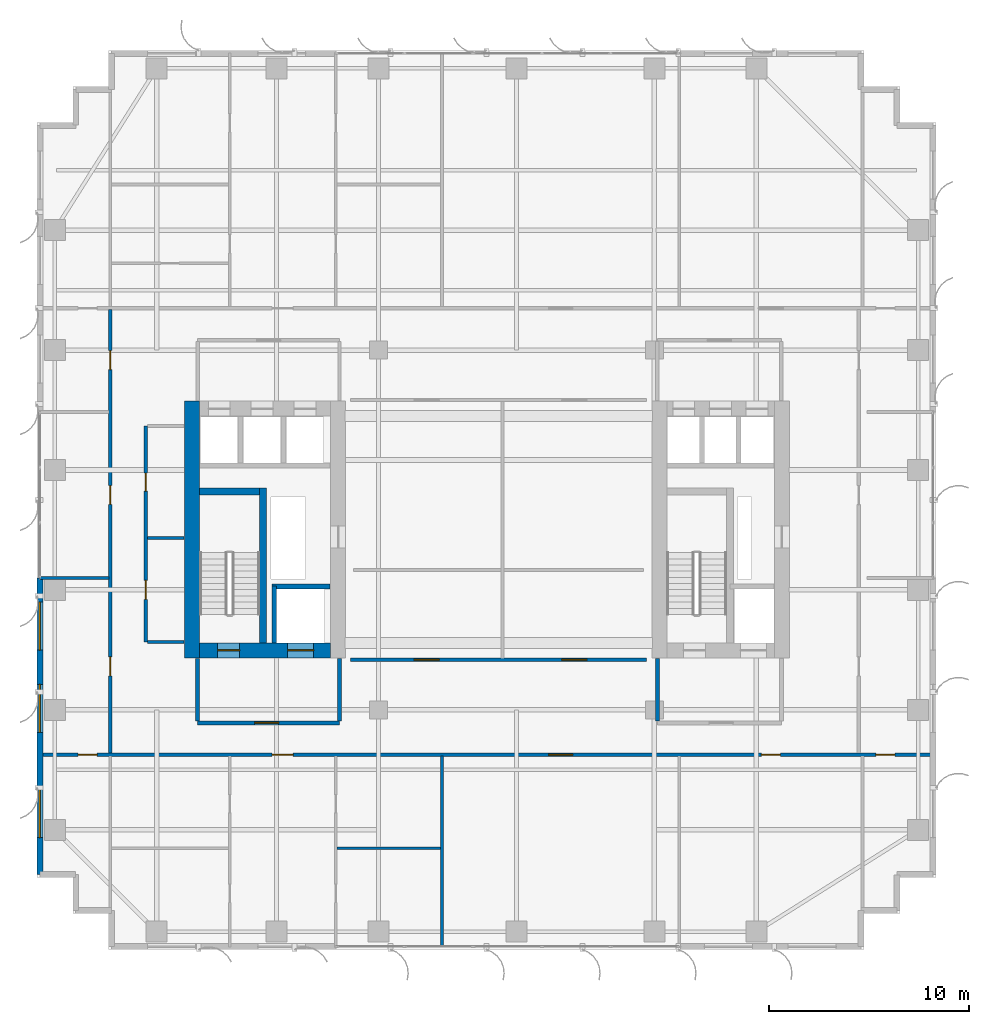
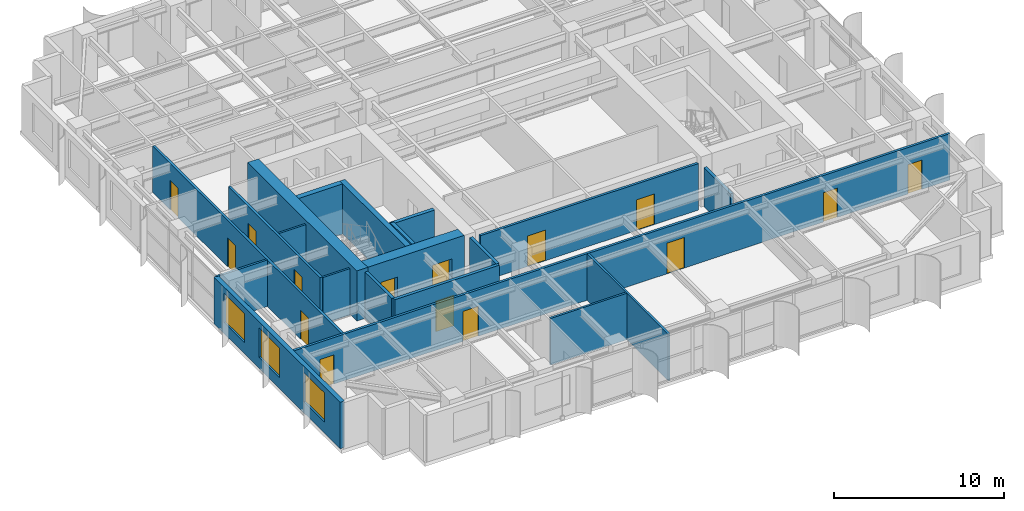
# One storey, part 20 of 26: 20 walls, 15 doors, 3 windows, 18 openings.
"""IFC4 building model written with IfcOpenShell, lengths in metres."""

from ifc_helpers import new_model, si_unit, direction, frame, frame_2d, origin, place, context, subcontext, project, spatial, rectangle, extrude, source, transform, mapped, material, layer, layer_set, type_object, element, fill, save


model = new_model("IFC4")

# Units and contexts
model_context = context("Model", 3, precision=1e-05, world=origin(), true_north=direction((0.0, 1.0)))
body_context = subcontext(model_context, "Body", "Model", "MODEL_VIEW")
ifc_project = project(units=[si_unit("LENGTHUNIT", "METRE"), si_unit("AREAUNIT", "SQUARE_METRE"), si_unit("VOLUMEUNIT", "CUBIC_METRE"), si_unit("PLANEANGLEUNIT", "RADIAN"), si_unit("MASSUNIT", "GRAM", prefix="KILO")], contexts=[model_context])

# Site, building, storey
site_placement = place(None, origin())
site = spatial("IfcSite", under=ifc_project, at=site_placement, CompositionType="ELEMENT")
building_placement = place(site_placement, origin())
building = spatial("IfcBuilding", under=site, at=building_placement, Name="Khoralis Quay Care Tower", CompositionType="ELEMENT")
storey_placement = place(building_placement, frame((0.0, 0.0, 126.89990234375)))
storey = spatial("IfcBuildingStorey", under=building, at=storey_placement, Name="L33", CompositionType="ELEMENT", Elevation=126.89990234375)

# Wall, opening, door
ifc_material_1 = material(Name="Gypsum plasterboard on acoustic metal stud")
ifc_layer_1 = layer(ifc_material_1, 0.199951171875)
ifc_layer_set_1 = layer_set([ifc_layer_1], Name="Gypsum plasterboard on acoustic metal stud")
wall_type_1 = type_object("IfcWallType", Name="WL-COMP-200", PredefinedType="PARTITIONING", material=ifc_layer_set_1)
wall_1_placement = place(storey_placement, frame((8.050048828125, 11.35009765625, 0.0), z_axis=(0.0, 0.0, 1.0), x_axis=(1.0, 0.0, 0.0)))
wall_1 = element("IfcWall", 1, at=wall_1_placement, inside=storey, type_object=wall_type_1, Name="L33 West Firefighting Lobby South Wall", PredefinedType="PARTITIONING", context=body_context, shape_type="SweptSolid", body=[
    extrude(rectangle(XDim=7.099853515625, YDim=0.199951171875, at=frame_2d((3.5498046875, 0.0))), origin(), (0.0, 0.0, 1.0), 3.340087890625),
])
opening_1_placement = place(wall_1_placement, frame((2.846435546875, 0.0, 0.0)))
opening_1 = element("IfcOpeningElement", 2, at=opening_1_placement, cuts=wall_1, Name="Opening FD1", PredefinedType="OPENING", context=body_context, shape_type="SweptSolid", body=[
    extrude(rectangle(XDim=1.199951171875, YDim=2.199951171875, at=frame_2d((0.60009765625, 1.10009765625))), frame((0.0, 0.10986328125, 0.0), z_axis=(0.0, -1.0, 0.0), x_axis=(1.0, 0.0, 0.0)), (0.0, 0.0, 1.0), 0.219970703125),
])
ifc_material_2 = material(Name="Fire-rated painted steel", Category="steel")
door_type_1 = type_object("IfcDoorType", Name="DR-FFL-1200X2200", OperationType="NOTDEFINED", PredefinedType="DOOR", material=ifc_material_2)
shared_shape_1 = source(origin(), body_context, "Body", "SweptSolid", [
    extrude(rectangle(XDim=1.199951171875, YDim=2.199951171875, at=frame_2d((0.60009765625, 1.10009765625))), frame((0.0, 0.02490234375, 0.0), z_axis=(0.0, -1.0, 0.0), x_axis=(1.0, 0.0, 0.0)), (0.0, 0.0, 1.0), 0.050048828125),
])
door_1_placement = place(opening_1_placement, origin())
door_1 = element("IfcDoor", 3, at=door_1_placement, inside=storey, type_object=door_type_1, Name="L33 West Firefighting Lobby Fire Door", OperationType="SINGLE_SWING_LEFT", OverallHeight=2.199951171875, OverallWidth=1.199951171875, PredefinedType="DOOR", context=body_context, shape_type="MappedRepresentation", body=[
    mapped(shared_shape_1, transform((0.0, 0.0, 0.0), scale=1.0)),
])
fill(opening_1, door_1)

# Walls
for number, where, z_axis, x_axis, name in (
    (4, (8.050048828125, 11.445068359375, 0.0), (0.0, 0.0, 1.0), (0.0, 1.0, 0.0), "L33 West Firefighting Lobby West Wall"),
    (5, (15.14990234375, 11.445068359375, 0.0), (0.0, 0.0, 1.0), (0.0, 1.0, 0.0), "L33 West Firefighting Lobby East Wall"),
):
    element("IfcWall", number, at=place(storey_placement, frame(where, z_axis=z_axis, x_axis=x_axis)), inside=storey, type_object=wall_type_1, Name=name, PredefinedType="PARTITIONING", context=body_context, shape_type="SweptSolid", body=[
        extrude(rectangle(XDim=3.135009765625, YDim=0.199951171875, at=frame_2d((1.5673828125, 0.0))), origin(), (0.0, 0.0, 1.0), 3.340087890625),
    ])
wall_2_placement = place(storey_placement, frame((31.050048828125, 11.445068359375, 0.0), z_axis=(0.0, 0.0, 1.0), x_axis=(0.0, 1.0, 0.0)))
element("IfcWall", 6, at=wall_2_placement, inside=storey, type_object=wall_type_1, Name="L33 East Firefighting Lobby West Wall", PredefinedType="PARTITIONING", context=body_context, shape_type="SweptSolid", body=[
    extrude(rectangle(XDim=3.135009765625, YDim=0.199951171875, at=frame_2d((1.5673828125, 0.0))), origin(), (0.0, 0.0, 1.0), 2.796142578125),
])
ifc_material_3 = material(Name="Concrete C80/95", Category="concrete")
ifc_layer_2 = layer(ifc_material_3, 0.75)
ifc_layer_set_2 = layer_set([ifc_layer_2], Name="Concrete C80/95")
wall_type_2 = type_object("IfcWallType", Name="WL-CORE-750", PredefinedType="SHEAR", material=ifc_layer_set_2)
wall_3_placement = place(storey_placement, frame((7.77490234375, 14.60009765625, 0.0), z_axis=(0.0, 0.0, 1.0), x_axis=(0.0, 1.0, 0.0)))
element("IfcWall", 7, at=wall_3_placement, inside=storey, type_object=wall_type_2, Name="L33 WCORE West Shear Wall", PredefinedType="SHEAR", context=body_context, shape_type="SweptSolid", body=[
    extrude(rectangle(XDim=12.849853515625, YDim=0.75, at=frame_2d((6.4248046875, 0.0))), origin(), (0.0, 0.0, 1.0), 3.60009765625),
])

# Wall, openings, doors
wall_4_placement = place(storey_placement, frame((8.14990234375, 14.97509765625, 0.0), z_axis=(0.0, 0.0, 1.0), x_axis=(1.0, 0.0, 0.0)))
wall_4 = element("IfcWall", 8, at=wall_4_placement, inside=storey, type_object=wall_type_2, Name="L33 WCORE South Shear Wall", PredefinedType="SHEAR", context=body_context, shape_type="SweptSolid", body=[
    extrude(rectangle(XDim=6.550048828125, YDim=0.75, at=frame_2d((3.27490234375, 0.0))), origin(), (0.0, 0.0, 1.0), 3.60009765625),
])
opening_2_placement = place(wall_4_placement, frame((0.89990234375, 0.0, 0.0)))
opening_2 = element("IfcOpeningElement", 9, at=opening_2_placement, cuts=wall_4, Name="Opening SD1", PredefinedType="OPENING", context=body_context, shape_type="SweptSolid", body=[
    extrude(rectangle(XDim=1.10009765625, YDim=2.199951171875, at=frame_2d((0.550048828125, 1.10009765625))), frame((0.0, 0.385009765625, 0.0), z_axis=(0.0, -1.0, 0.0), x_axis=(1.0, 0.0, 0.0)), (0.0, 0.0, 1.0), 0.77001953125),
])
opening_3_placement = place(wall_4_placement, frame((4.39990234375, 0.0, 0.0)))
opening_3 = element("IfcOpeningElement", 10, at=opening_3_placement, cuts=wall_4, Name="Opening LD2", PredefinedType="OPENING", context=body_context, shape_type="SweptSolid", body=[
    extrude(rectangle(XDim=1.300048828125, YDim=2.199951171875, at=frame_2d((0.64990234375, 1.10009765625))), frame((0.0, 0.385009765625, 0.0), z_axis=(0.0, -1.0, 0.0), x_axis=(1.0, 0.0, 0.0)), (0.0, 0.0, 1.0), 0.77001953125),
])
door_type_2 = type_object("IfcDoorType", Name="DR-STAIR-1100X2200", OperationType="NOTDEFINED", PredefinedType="DOOR", material=ifc_material_2)
shared_shape_2 = source(origin(), body_context, "Body", "SweptSolid", [
    extrude(rectangle(XDim=1.10009765625, YDim=2.199951171875, at=frame_2d((0.550048828125, 1.10009765625))), frame((0.0, 0.02490234375, 0.0), z_axis=(0.0, -1.0, 0.0), x_axis=(1.0, 0.0, 0.0)), (0.0, 0.0, 1.0), 0.050048828125),
])
door_2_placement = place(opening_2_placement, origin())
door_2 = element("IfcDoor", 11, at=door_2_placement, inside=storey, type_object=door_type_2, Name="L33 Stair ST-T1 Fire Door", OperationType="SINGLE_SWING_LEFT", OverallHeight=2.199951171875, OverallWidth=1.10009765625, PredefinedType="DOOR", context=body_context, shape_type="MappedRepresentation", body=[
    mapped(shared_shape_2, transform((0.0, 0.0, 0.0), scale=1.0)),
])
fill(opening_2, door_2)
ifc_material_4 = material(Name="Brushed stainless steel", Category="steel")
door_type_3 = type_object("IfcDoorType", Name="DR-LIFT-1300X2200", OperationType="SLIDING_TO_RIGHT", PredefinedType="DOOR", material=ifc_material_4)
shared_shape_3 = source(origin(), body_context, "Body", "SweptSolid", [
    extrude(rectangle(XDim=1.300048828125, YDim=2.199951171875, at=frame_2d((0.64990234375, 1.10009765625))), frame((0.0, 0.02490234375, 0.0), z_axis=(0.0, -1.0, 0.0), x_axis=(1.0, 0.0, 0.0)), (0.0, 0.0, 1.0), 0.050048828125),
])
door_3_placement = place(opening_3_placement, origin())
door_3 = element("IfcDoor", 12, at=door_3_placement, inside=storey, type_object=door_type_3, Name="L33 Firefighting Lift FFL-1 Landing Door", OperationType="SLIDING_TO_RIGHT", OverallHeight=2.199951171875, OverallWidth=1.300048828125, PredefinedType="DOOR", context=body_context, shape_type="MappedRepresentation", body=[
    mapped(shared_shape_3, transform((0.0, 0.0, 0.0), scale=1.0)),
])
fill(opening_3, door_3)

ifc_layer_3 = layer(ifc_material_1, 0.1650390625)
ifc_layer_set_3 = layer_set([ifc_layer_3], Name="Gypsum plasterboard on acoustic metal stud")
wall_type_3 = type_object("IfcWallType", Name="WL-CORR-165", PredefinedType="PARTITIONING", material=ifc_layer_set_3)
wall_5_placement = place(storey_placement, frame((5.449951171875, 15.39990234375, 0.0), z_axis=(0.0, 0.0, 1.0), x_axis=(0.0, 1.0, 0.0)))
wall_5 = element("IfcWall", 13, at=wall_5_placement, inside=storey, type_object=wall_type_3, Name="L33 West Core Service Flank Wall", PredefinedType="PARTITIONING", context=body_context, shape_type="SweptSolid", body=[
    extrude(rectangle(XDim=10.800048828125, YDim=0.1650390625, at=frame_2d((5.39990234375, 0.0))), origin(), (0.0, 0.0, 1.0), 3.340087890625),
])
opening_4_placement = place(wall_5_placement, frame((2.125, 0.0, 0.0)))
opening_4 = element("IfcOpeningElement", 14, at=opening_4_placement, cuts=wall_5, Name="Opening ID1", PredefinedType="OPENING", context=body_context, shape_type="SweptSolid", body=[
    extrude(rectangle(XDim=0.949951171875, YDim=2.10009765625, at=frame_2d((0.47509765625, 1.050048828125))), frame((0.0, 0.092529296875, 0.0), z_axis=(0.0, -1.0, 0.0), x_axis=(1.0, 0.0, 0.0)), (0.0, 0.0, 1.0), 0.18505859375),
])
opening_5_placement = place(wall_5_placement, frame((7.550048828125, 0.0, 0.0)))
opening_5 = element("IfcOpeningElement", 15, at=opening_5_placement, cuts=wall_5, Name="Opening WD1", PredefinedType="OPENING", context=body_context, shape_type="SweptSolid", body=[
    extrude(rectangle(XDim=0.89990234375, YDim=2.10009765625, at=frame_2d((0.449951171875, 1.050048828125))), frame((0.0, 0.092529296875, 0.0), z_axis=(0.0, -1.0, 0.0), x_axis=(1.0, 0.0, 0.0)), (0.0, 0.0, 1.0), 0.18505859375),
])
ifc_material_5 = material(Name="Acoustic hardwood timber", Category="wood")
door_type_4 = type_object("IfcDoorType", Name="DR-BATH-900X2100", OperationType="NOTDEFINED", PredefinedType="DOOR", material=ifc_material_5)
shared_shape_4 = source(origin(), body_context, "Body", "SweptSolid", [
    extrude(rectangle(XDim=0.89990234375, YDim=2.10009765625, at=frame_2d((0.449951171875, 1.050048828125))), frame((0.0, 0.02490234375, 0.0), z_axis=(0.0, -1.0, 0.0), x_axis=(1.0, 0.0, 0.0)), (0.0, 0.0, 1.0), 0.050048828125),
])
door_4_placement = place(opening_5_placement, frame((0.89990234375, 0.0, 0.0), z_axis=(0.0, 0.0, 1.0), x_axis=(-1.0, 0.0, 0.0)))
door_4 = element("IfcDoor", 16, at=door_4_placement, inside=storey, type_object=door_type_4, Name="L33 Public Accessible WC Door", OperationType="SINGLE_SWING_LEFT", OverallHeight=2.10009765625, OverallWidth=0.89990234375, PredefinedType="DOOR", context=body_context, shape_type="MappedRepresentation", body=[
    mapped(shared_shape_4, transform((0.0, 0.0, 0.0), scale=1.0)),
])
fill(opening_5, door_4)
door_type_5 = type_object("IfcDoorType", Name="DR-ROOM-950X2100", OperationType="NOTDEFINED", PredefinedType="DOOR", material=ifc_material_5)
shared_shape_5 = source(origin(), body_context, "Body", "SweptSolid", [
    extrude(rectangle(XDim=0.949951171875, YDim=2.10009765625, at=frame_2d((0.47509765625, 1.050048828125))), frame((0.0, 0.02490234375, 0.0), z_axis=(0.0, -1.0, 0.0), x_axis=(1.0, 0.0, 0.0)), (0.0, 0.0, 1.0), 0.050048828125),
])
door_5_placement = place(opening_4_placement, frame((0.949951171875, 0.0, 0.0), z_axis=(0.0, 0.0, 1.0), x_axis=(-1.0, 0.0, 0.0)))
door_5 = element("IfcDoor", 17, at=door_5_placement, inside=storey, type_object=door_type_5, Name="L33 Housekeeping Linen Store Door", OperationType="SINGLE_SWING_RIGHT", OverallHeight=2.10009765625, OverallWidth=0.949951171875, PredefinedType="DOOR", context=body_context, shape_type="MappedRepresentation", body=[
    mapped(shared_shape_5, transform((0.0, 0.0, 0.0), scale=1.0)),
])
fill(opening_4, door_5)

wall_6_placement = place(storey_placement, frame((0.14501953125, 9.760009765625, 0.0), z_axis=(0.0, 0.0, 1.0), x_axis=(1.0, 0.0, 0.0)))
wall_6 = element("IfcWall", 18, at=wall_6_placement, inside=storey, type_object=wall_type_3, Name="L33 South Main Corridor Wall", PredefinedType="PARTITIONING", context=body_context, shape_type="SweptSolid", body=[
    extrude(rectangle(XDim=44.7099609375, YDim=0.1650390625, at=frame_2d((22.35498046875, 0.0))), origin(), (0.0, 0.0, 1.0), 3.340087890625),
])
opening_6_placement = place(wall_6_placement, frame((11.636474609375, 0.0, 0.0)))
opening_6 = element("IfcOpeningElement", 19, at=opening_6_placement, cuts=wall_6, Name="Opening UD1", PredefinedType="OPENING", context=body_context, shape_type="SweptSolid", body=[
    extrude(rectangle(XDim=1.050048828125, YDim=2.14990234375, at=frame_2d((0.52490234375, 1.074951171875))), frame((0.0, 0.092529296875, 0.0), z_axis=(0.0, -1.0, 0.0), x_axis=(1.0, 0.0, 0.0)), (0.0, 0.0, 1.0), 0.18505859375),
])
opening_7_placement = place(wall_6_placement, frame((25.465087890625, 0.0, 0.0)))
opening_7 = element("IfcOpeningElement", 20, at=opening_7_placement, cuts=wall_6, Name="Opening FD1", PredefinedType="OPENING", context=body_context, shape_type="SweptSolid", body=[
    extrude(rectangle(XDim=1.199951171875, YDim=2.199951171875, at=frame_2d((0.60009765625, 1.10009765625))), frame((0.0, 0.092529296875, 0.0), z_axis=(0.0, -1.0, 0.0), x_axis=(1.0, 0.0, 0.0)), (0.0, 0.0, 1.0), 0.18505859375),
])
opening_8_placement = place(wall_6_placement, frame((36.114990234375, 0.0, 0.0)))
opening_8 = element("IfcOpeningElement", 21, at=opening_8_placement, cuts=wall_6, Name="Opening ID1", PredefinedType="OPENING", context=body_context, shape_type="SweptSolid", body=[
    extrude(rectangle(XDim=0.949951171875, YDim=2.10009765625, at=frame_2d((0.47509765625, 1.050048828125))), frame((0.0, 0.092529296875, 0.0), z_axis=(0.0, -1.0, 0.0), x_axis=(1.0, 0.0, 0.0)), (0.0, 0.0, 1.0), 0.18505859375),
])
opening_9_placement = place(wall_6_placement, frame((1.919921875, 0.0, 0.0)))
opening_9 = element("IfcOpeningElement", 22, at=opening_9_placement, cuts=wall_6, Name="Opening ID1", PredefinedType="OPENING", context=body_context, shape_type="SweptSolid", body=[
    extrude(rectangle(XDim=0.949951171875, YDim=2.10009765625, at=frame_2d((0.47509765625, 1.050048828125))), frame((0.0, 0.092529296875, 0.0), z_axis=(0.0, -1.0, 0.0), x_axis=(1.0, 0.0, 0.0)), (0.0, 0.0, 1.0), 0.18505859375),
])
opening_10_placement = place(wall_6_placement, frame((41.840087890625, 0.0, 0.0)))
opening_10 = element("IfcOpeningElement", 23, at=opening_10_placement, cuts=wall_6, Name="Opening ID1", PredefinedType="OPENING", context=body_context, shape_type="SweptSolid", body=[
    extrude(rectangle(XDim=0.949951171875, YDim=2.10009765625, at=frame_2d((0.47509765625, 1.050048828125))), frame((0.0, 0.092529296875, 0.0), z_axis=(0.0, -1.0, 0.0), x_axis=(1.0, 0.0, 0.0)), (0.0, 0.0, 1.0), 0.18505859375),
])
door_6_placement = place(opening_7_placement, frame((1.199951171875, 0.0, 0.0), z_axis=(0.0, 0.0, 1.0), x_axis=(-1.0, 0.0, 0.0)))
door_6 = element("IfcDoor", 24, at=door_6_placement, inside=storey, type_object=door_type_1, Name="L33 Senior Wellness Pharmacy Shop Door", OperationType="DOUBLE_DOOR_SINGLE_SWING", OverallHeight=2.199951171875, OverallWidth=1.199951171875, PredefinedType="DOOR", context=body_context, shape_type="MappedRepresentation", body=[
    mapped(shared_shape_1, transform((0.0, 0.0, 0.0), scale=1.0)),
])
fill(opening_7, door_6)
door_7_placement = place(opening_8_placement, frame((0.949951171875, 0.0, 0.0), z_axis=(0.0, 0.0, 1.0), x_axis=(-1.0, 0.0, 0.0)))
door_7 = element("IfcDoor", 25, at=door_7_placement, inside=storey, type_object=door_type_5, Name="L33 Family Case Conference Room Door", OperationType="SINGLE_SWING_RIGHT", OverallHeight=2.10009765625, OverallWidth=0.949951171875, PredefinedType="DOOR", context=body_context, shape_type="MappedRepresentation", body=[
    mapped(shared_shape_5, transform((0.0, 0.0, 0.0), scale=1.0)),
])
fill(opening_8, door_7)
door_8_placement = place(opening_9_placement, frame((0.949951171875, 0.0, 0.0), z_axis=(0.0, 0.0, 1.0), x_axis=(-1.0, 0.0, 0.0)))
door_8 = element("IfcDoor", 26, at=door_8_placement, inside=storey, type_object=door_type_5, Name="L33 SW Corner Door", OperationType="SINGLE_SWING_LEFT", OverallHeight=2.10009765625, OverallWidth=0.949951171875, PredefinedType="DOOR", context=body_context, shape_type="MappedRepresentation", body=[
    mapped(shared_shape_5, transform((0.0, 0.0, 0.0), scale=1.0)),
])
fill(opening_9, door_8)
door_9_placement = place(opening_10_placement, frame((0.949951171875, 0.0, 0.0), z_axis=(0.0, 0.0, 1.0), x_axis=(-1.0, 0.0, 0.0)))
door_9 = element("IfcDoor", 27, at=door_9_placement, inside=storey, type_object=door_type_5, Name="L33 SE Corner Door", OperationType="SINGLE_SWING_RIGHT", OverallHeight=2.10009765625, OverallWidth=0.949951171875, PredefinedType="DOOR", context=body_context, shape_type="MappedRepresentation", body=[
    mapped(shared_shape_5, transform((0.0, 0.0, 0.0), scale=1.0)),
])
fill(opening_10, door_9)
door_type_6 = type_object("IfcDoorType", Name="DR-SUITE-1050X2150", OperationType="NOTDEFINED", PredefinedType="DOOR", material=ifc_material_5)
shared_shape_6 = source(origin(), body_context, "Body", "SweptSolid", [
    extrude(rectangle(XDim=1.050048828125, YDim=2.14990234375, at=frame_2d((0.52490234375, 1.074951171875))), frame((0.0, 0.02490234375, 0.0), z_axis=(0.0, -1.0, 0.0), x_axis=(1.0, 0.0, 0.0)), (0.0, 0.0, 1.0), 0.050048828125),
])
door_10_placement = place(opening_6_placement, frame((1.050048828125, 0.0, 0.0), z_axis=(0.0, 0.0, 1.0), x_axis=(-1.0, 0.0, 0.0)))
door_10 = element("IfcDoor", 28, at=door_10_placement, inside=storey, type_object=door_type_6, Name="L33 2BR SB0 Entrance", OperationType="SINGLE_SWING_LEFT", OverallHeight=2.14990234375, OverallWidth=1.050048828125, PredefinedType="DOOR", context=body_context, shape_type="MappedRepresentation", body=[
    mapped(shared_shape_6, transform((0.0, 0.0, 0.0), scale=1.0)),
])
fill(opening_6, door_10)

wall_7_placement = place(storey_placement, frame((3.679931640625, 9.83740234375, 0.0), z_axis=(0.0, 0.0, 1.0), x_axis=(0.0, 1.0, 0.0)))
wall_7 = element("IfcWall", 29, at=wall_7_placement, inside=storey, type_object=wall_type_3, Name="L33 West Loop Corridor Wall", PredefinedType="PARTITIONING", context=body_context, shape_type="SweptSolid", body=[
    extrude(rectangle(XDim=22.18505859375, YDim=0.1650390625, at=frame_2d((11.092529296875, 0.0))), origin(), (0.0, 0.0, 1.0), 3.340087890625),
])
opening_11_placement = place(wall_7_placement, frame((3.867431640625, 0.0, 0.0)))
opening_11 = element("IfcOpeningElement", 30, at=opening_11_placement, cuts=wall_7, Name="Opening ID1", PredefinedType="OPENING", context=body_context, shape_type="SweptSolid", body=[
    extrude(rectangle(XDim=0.949951171875, YDim=2.10009765625, at=frame_2d((0.47509765625, 1.050048828125))), frame((0.0, 0.092529296875, 0.0), z_axis=(0.0, -1.0, 0.0), x_axis=(1.0, 0.0, 0.0)), (0.0, 0.0, 1.0), 0.18505859375),
])
opening_12_placement = place(wall_7_placement, frame((12.4375, 0.0, 0.0)))
opening_12 = element("IfcOpeningElement", 31, at=opening_12_placement, cuts=wall_7, Name="Opening ID1", PredefinedType="OPENING", context=body_context, shape_type="SweptSolid", body=[
    extrude(rectangle(XDim=0.949951171875, YDim=2.10009765625, at=frame_2d((0.47509765625, 1.050048828125))), frame((0.0, 0.092529296875, 0.0), z_axis=(0.0, -1.0, 0.0), x_axis=(1.0, 0.0, 0.0)), (0.0, 0.0, 1.0), 0.18505859375),
])
opening_13_placement = place(wall_7_placement, frame((19.1875, 0.0, 0.0)))
opening_13 = element("IfcOpeningElement", 32, at=opening_13_placement, cuts=wall_7, Name="Opening ID1", PredefinedType="OPENING", context=body_context, shape_type="SweptSolid", body=[
    extrude(rectangle(XDim=0.949951171875, YDim=2.10009765625, at=frame_2d((0.47509765625, 1.050048828125))), frame((0.0, 0.092529296875, 0.0), z_axis=(0.0, -1.0, 0.0), x_axis=(1.0, 0.0, 0.0)), (0.0, 0.0, 1.0), 0.18505859375),
])
door_11_placement = place(opening_11_placement, origin())
door_11 = element("IfcDoor", 33, at=door_11_placement, inside=storey, type_object=door_type_5, Name="L33 Therapy Consultation Room Door", OperationType="SINGLE_SWING_LEFT", OverallHeight=2.10009765625, OverallWidth=0.949951171875, PredefinedType="DOOR", context=body_context, shape_type="MappedRepresentation", body=[
    mapped(shared_shape_5, transform((0.0, 0.0, 0.0), scale=1.0)),
])
fill(opening_11, door_11)
door_12_placement = place(opening_12_placement, origin())
door_12 = element("IfcDoor", 34, at=door_12_placement, inside=storey, type_object=door_type_5, Name="L33 Assisted Activity Lounge Door", OperationType="SINGLE_SWING_RIGHT", OverallHeight=2.10009765625, OverallWidth=0.949951171875, PredefinedType="DOOR", context=body_context, shape_type="MappedRepresentation", body=[
    mapped(shared_shape_5, transform((0.0, 0.0, 0.0), scale=1.0)),
])
fill(opening_12, door_12)
door_13_placement = place(opening_13_placement, origin())
door_13 = element("IfcDoor", 35, at=door_13_placement, inside=storey, type_object=door_type_5, Name="L33 Nurse Charting Office Door", OperationType="SINGLE_SWING_LEFT", OverallHeight=2.10009765625, OverallWidth=0.949951171875, PredefinedType="DOOR", context=body_context, shape_type="MappedRepresentation", body=[
    mapped(shared_shape_5, transform((0.0, 0.0, 0.0), scale=1.0)),
])
fill(opening_13, door_13)

wall_8_placement = place(storey_placement, frame((15.699951171875, 14.5, 0.0), z_axis=(0.0, 0.0, 1.0), x_axis=(1.0, 0.0, 0.0)))
wall_8 = element("IfcWall", 36, at=wall_8_placement, inside=storey, type_object=wall_type_3, Name="L33 Central Clinical South Wall", PredefinedType="PARTITIONING", context=body_context, shape_type="SweptSolid", body=[
    extrude(rectangle(XDim=14.800048828125, YDim=0.1650390625, at=frame_2d((7.39990234375, 0.0))), origin(), (0.0, 0.0, 1.0), 3.340087890625),
])
opening_14_placement = place(wall_8_placement, frame((3.175048828125, 0.0, 0.0)))
opening_14 = element("IfcOpeningElement", 37, at=opening_14_placement, cuts=wall_8, Name="Opening CD1", PredefinedType="OPENING", context=body_context, shape_type="SweptSolid", body=[
    extrude(rectangle(XDim=1.25, YDim=2.199951171875, at=frame_2d((0.625, 1.10009765625))), frame((0.0, 0.092529296875, 0.0), z_axis=(0.0, -1.0, 0.0), x_axis=(1.0, 0.0, 0.0)), (0.0, 0.0, 1.0), 0.18505859375),
])
opening_15_placement = place(wall_8_placement, frame((10.574951171875, 0.0, 0.0)))
opening_15 = element("IfcOpeningElement", 38, at=opening_15_placement, cuts=wall_8, Name="Opening CD1", PredefinedType="OPENING", context=body_context, shape_type="SweptSolid", body=[
    extrude(rectangle(XDim=1.25, YDim=2.199951171875, at=frame_2d((0.625, 1.10009765625))), frame((0.0, 0.092529296875, 0.0), z_axis=(0.0, -1.0, 0.0), x_axis=(1.0, 0.0, 0.0)), (0.0, 0.0, 1.0), 0.18505859375),
])
door_type_7 = type_object("IfcDoorType", Name="DR-CARE-1250X2200", OperationType="NOTDEFINED", PredefinedType="DOOR", material=ifc_material_5)
shared_shape_7 = source(origin(), body_context, "Body", "SweptSolid", [
    extrude(rectangle(XDim=1.25, YDim=2.199951171875, at=frame_2d((0.625, 1.10009765625))), frame((0.0, 0.02490234375, 0.0), z_axis=(0.0, -1.0, 0.0), x_axis=(1.0, 0.0, 0.0)), (0.0, 0.0, 1.0), 0.050048828125),
])
door_14_placement = place(opening_14_placement, origin())
door_14 = element("IfcDoor", 39, at=door_14_placement, inside=storey, type_object=door_type_7, Name="L33 Nurse Station Door", OperationType="SINGLE_SWING_LEFT", OverallHeight=2.199951171875, OverallWidth=1.25, PredefinedType="DOOR", context=body_context, shape_type="MappedRepresentation", body=[
    mapped(shared_shape_7, transform((0.0, 0.0, 0.0), scale=1.0)),
])
fill(opening_14, door_14)
door_15_placement = place(opening_15_placement, origin())
door_15 = element("IfcDoor", 40, at=door_15_placement, inside=storey, type_object=door_type_7, Name="L33 Treatment Clinic Door", OperationType="SINGLE_SWING_RIGHT", OverallHeight=2.199951171875, OverallWidth=1.25, PredefinedType="DOOR", context=body_context, shape_type="MappedRepresentation", body=[
    mapped(shared_shape_7, transform((0.0, 0.0, 0.0), scale=1.0)),
])
fill(opening_15, door_15)

# Wall, openings, windows
ifc_material_6 = material(Name="Precast concrete C45/55", Category="concrete")
ifc_layer_4 = layer(ifc_material_6, 0.300048828125)
ifc_layer_set_4 = layer_set([ifc_layer_4], Name="Precast concrete C45/55")
wall_type_4 = type_object("IfcWallType", Name="WL-EXT-REF-300", PredefinedType="SOLIDWALL", material=ifc_layer_set_4)
wall_9_placement = place(storey_placement, frame((0.14990234375, 18.60009765625, 0.0), z_axis=(0.0, 0.0, 1.0), x_axis=(0.0, -1.0, 0.0)))
wall_9 = element("IfcWall", 41, at=wall_9_placement, inside=storey, type_object=wall_type_4, Name="L33 External Facade Wall WL-EXT-L33-P1-E15B", PredefinedType="SOLIDWALL", context=body_context, shape_type="SweptSolid", body=[
    extrude(rectangle(XDim=14.85009765625, YDim=0.300048828125, at=frame_2d((7.425048828125, 0.0))), origin(), (0.0, 0.0, 1.0), 3.340087890625),
])
opening_16_placement = place(wall_9_placement, frame((1.215087890625, 0.0, 0.800048828125)))
opening_16 = element("IfcOpeningElement", 42, at=opening_16_placement, cuts=wall_9, Name="Opening W1", PredefinedType="OPENING", context=body_context, shape_type="SweptSolid", body=[
    extrude(rectangle(XDim=2.39990234375, YDim=2.10009765625, at=frame_2d((1.199951171875, 1.050048828125))), frame((0.0, 0.16015625, 0.0), z_axis=(0.0, -1.0, 0.0), x_axis=(1.0, 0.0, 0.0)), (0.0, 0.0, 1.0), 0.320068359375),
])
opening_17_placement = place(wall_9_placement, frame((5.324951171875, 0.0, 0.800048828125)))
opening_17 = element("IfcOpeningElement", 43, at=opening_17_placement, cuts=wall_9, Name="Opening W1", PredefinedType="OPENING", context=body_context, shape_type="SweptSolid", body=[
    extrude(rectangle(XDim=2.39990234375, YDim=2.10009765625, at=frame_2d((1.199951171875, 1.050048828125))), frame((0.0, 0.16015625, 0.0), z_axis=(0.0, -1.0, 0.0), x_axis=(1.0, 0.0, 0.0)), (0.0, 0.0, 1.0), 0.320068359375),
])
opening_18_placement = place(wall_9_placement, frame((10.594970703125, 0.0, 0.800048828125)))
opening_18 = element("IfcOpeningElement", 44, at=opening_18_placement, cuts=wall_9, Name="Opening W1", PredefinedType="OPENING", context=body_context, shape_type="SweptSolid", body=[
    extrude(rectangle(XDim=2.39990234375, YDim=2.10009765625, at=frame_2d((1.199951171875, 1.050048828125))), frame((0.0, 0.16015625, 0.0), z_axis=(0.0, -1.0, 0.0), x_axis=(1.0, 0.0, 0.0)), (0.0, 0.0, 1.0), 0.320068359375),
])
ifc_material_7 = material(Name="Low-E solar-control double glazing", Category="glass")
window_type = type_object("IfcWindowType", Name="WN-POD-2400X2100", PartitioningType="SINGLE_PANEL", PredefinedType="WINDOW", material=ifc_material_7)
shared_shape_8 = source(origin(), body_context, "Body", "SweptSolid", [
    extrude(rectangle(XDim=2.39990234375, YDim=2.10009765625, at=frame_2d((1.199951171875, 1.050048828125))), frame((0.0, 0.030029296875, 0.0), z_axis=(0.0, -1.0, 0.0), x_axis=(1.0, 0.0, 0.0)), (0.0, 0.0, 1.0), 0.06005859375),
])
window_1_placement = place(opening_16_placement, origin())
window_1 = element("IfcWindow", 45, at=window_1_placement, inside=storey, type_object=window_type, Name="WN-L33-P1-E15B Facade Window 01", OverallHeight=2.10009765625, OverallWidth=2.39990234375, PartitioningType="SINGLE_PANEL", PredefinedType="WINDOW", context=body_context, shape_type="MappedRepresentation", body=[
    mapped(shared_shape_8, transform((0.0, 0.0, 0.0), scale=1.0)),
])
fill(opening_16, window_1)
window_2_placement = place(opening_17_placement, origin())
window_2 = element("IfcWindow", 46, at=window_2_placement, inside=storey, type_object=window_type, Name="WN-L33-P1-E15B Facade Window 02", OverallHeight=2.10009765625, OverallWidth=2.39990234375, PartitioningType="SINGLE_PANEL", PredefinedType="WINDOW", context=body_context, shape_type="MappedRepresentation", body=[
    mapped(shared_shape_8, transform((0.0, 0.0, 0.0), scale=1.0)),
])
fill(opening_17, window_2)
window_3_placement = place(opening_18_placement, origin())
window_3 = element("IfcWindow", 47, at=window_3_placement, inside=storey, type_object=window_type, Name="WN-L33-P1-E15B Facade Window 03", OverallHeight=2.10009765625, OverallWidth=2.39990234375, PartitioningType="SINGLE_PANEL", PredefinedType="WINDOW", context=body_context, shape_type="MappedRepresentation", body=[
    mapped(shared_shape_8, transform((0.0, 0.0, 0.0), scale=1.0)),
])
fill(opening_18, window_3)

# Walls
ifc_material_8 = material(Name="Moisture-resistant gypsum and ceramic tile")
ifc_layer_5 = layer(ifc_material_8, 0.280029296875)
ifc_layer_set_5 = layer_set([ifc_layer_5], Name="Moisture-resistant gypsum and ceramic tile")
wall_type_5 = type_object("IfcWallType", Name="WL-PLUMB-280", PredefinedType="PLUMBINGWALL", material=ifc_layer_set_5)
wall_10_placement = place(storey_placement, frame((5.527587890625, 20.60009765625, 0.0), z_axis=(0.0, 0.0, 1.0), x_axis=(1.0, 0.0, 0.0)))
element("IfcWall", 48, at=wall_10_placement, inside=storey, type_object=wall_type_5, Name="L33 West Flank Divider 1", PredefinedType="PLUMBINGWALL", context=body_context, shape_type="SweptSolid", body=[
    extrude(rectangle(XDim=1.83251953125, YDim=0.139892578125, at=frame_2d((0.916259765625, 0.0))), origin(), (0.0, 0.0, 1.0), 3.340087890625),
])
wall_11_placement = place(storey_placement, frame((15.013427734375, 5.074951171875, 0.0), z_axis=(0.0, 0.0, 1.0), x_axis=(1.0, 0.0, 0.0)))
element("IfcWall", 49, at=wall_11_placement, inside=storey, type_object=wall_type_5, Name="L33 2BR 0 Right Split", PredefinedType="PLUMBINGWALL", context=body_context, shape_type="SweptSolid", body=[
    extrude(rectangle(XDim=5.191650390625, YDim=0.139892578125, at=frame_2d((2.595703125, 0.0))), origin(), (0.0, 0.0, 1.0), 3.340087890625),
])
ifc_material_9 = material(Name="Concrete C40/50", Category="concrete")
ifc_layer_6 = layer(ifc_material_9, 0.35009765625)
ifc_layer_set_6 = layer_set([ifc_layer_6], Name="Concrete C40/50")
wall_type_6 = type_object("IfcWallType", Name="WL-SC-CORE-350", PredefinedType="SHEAR", material=ifc_layer_set_6)
wall_12_placement = place(storey_placement, frame((11.324951171875, 15.35009765625, 0.0), z_axis=(0.0, 0.0, 1.0), x_axis=(0.0, 1.0, 0.0)))
element("IfcWall", 50, at=wall_12_placement, inside=storey, type_object=wall_type_6, Name="L33 Stair ST-T1 Shear Baffle Wall East", PredefinedType="SHEAR", context=body_context, shape_type="SweptSolid", body=[
    extrude(rectangle(XDim=7.75, YDim=0.35009765625, at=frame_2d((3.875, 0.0))), origin(), (0.0, 0.0, 1.0), 3.60009765625),
])
wall_13_placement = place(storey_placement, frame((8.14990234375, 22.925048828125, 0.0), z_axis=(0.0, 0.0, 1.0), x_axis=(1.0, 0.0, 0.0)))
element("IfcWall", 51, at=wall_13_placement, inside=storey, type_object=wall_type_6, Name="L33 Stair ST-T1 Shear Baffle Wall North", PredefinedType="SHEAR", context=body_context, shape_type="SweptSolid", body=[
    extrude(rectangle(XDim=3.0, YDim=0.35009765625, at=frame_2d((1.5, 0.0))), origin(), (0.0, 0.0, 1.0), 3.60009765625),
])
ifc_layer_7 = layer(ifc_material_1, 0.239990234375)
ifc_layer_set_7 = layer_set([ifc_layer_7], Name="Gypsum plasterboard on acoustic metal stud")
wall_type_7 = type_object("IfcWallType", Name="WL-SHAFT-240", PredefinedType="PARTITIONING", material=ifc_layer_set_7)
wall_14_placement = place(storey_placement, frame((11.8798828125, 15.35009765625, 0.0), z_axis=(0.0, 0.0, 1.0), x_axis=(0.0, 1.0, 0.0)))
element("IfcWall", 52, at=wall_14_placement, inside=storey, type_object=wall_type_7, Name="L33 FFL-1 Shaft Wall West", PredefinedType="PARTITIONING", context=body_context, shape_type="SweptSolid", body=[
    extrude(rectangle(XDim=2.849853515625, YDim=0.239990234375, at=frame_2d((1.4248046875, 0.0))), origin(), (0.0, 0.0, 1.0), 3.340087890625),
])
wall_15_placement = place(storey_placement, frame((11.760009765625, 18.169921875, 0.0), z_axis=(0.0, 0.0, 1.0), x_axis=(1.0, 0.0, 0.0)))
element("IfcWall", 53, at=wall_15_placement, inside=storey, type_object=wall_type_7, Name="L33 FFL-1 Shaft Wall North", PredefinedType="PARTITIONING", context=body_context, shape_type="SweptSolid", body=[
    extrude(rectangle(XDim=2.919921875, YDim=0.239990234375, at=frame_2d((1.4599609375, 0.0))), origin(), (0.0, 0.0, 1.0), 3.340087890625),
])
ifc_layer_8 = layer(ifc_material_1, 0.139892578125)
ifc_layer_set_8 = layer_set([ifc_layer_8], Name="Gypsum plasterboard on acoustic metal stud")
wall_type_8 = type_object("IfcWallType", Name="WL-UNIT-140", PredefinedType="PARTITIONING", material=ifc_layer_set_8)
wall_16_placement = place(storey_placement, frame((5.527587890625, 15.39990234375, 0.0), z_axis=(0.0, 0.0, 1.0), x_axis=(1.0, 0.0, 0.0)))
element("IfcWall", 54, at=wall_16_placement, inside=storey, type_object=wall_type_8, Name="L33 West Flank South Cap", PredefinedType="PARTITIONING", context=body_context, shape_type="SweptSolid", body=[
    extrude(rectangle(XDim=1.83251953125, YDim=0.139892578125, at=frame_2d((0.916259765625, 0.0))), origin(), (0.0, 0.0, 1.0), 3.340087890625),
])
wall_17_placement = place(storey_placement, frame((0.14501953125, 18.60009765625, 0.0), z_axis=(0.0, 0.0, 1.0), x_axis=(1.0, 0.0, 0.0)))
element("IfcWall", 55, at=wall_17_placement, inside=storey, type_object=wall_type_8, Name="L33 WW Divider 1", PredefinedType="PARTITIONING", context=body_context, shape_type="SweptSolid", body=[
    extrude(rectangle(XDim=3.45751953125, YDim=0.139892578125, at=frame_2d((1.728759765625, 0.0))), origin(), (0.0, 0.0, 1.0), 3.340087890625),
])
wall_18_placement = place(storey_placement, frame((20.27001953125, 0.14501953125, 0.0), z_axis=(0.0, 0.0, 1.0), x_axis=(0.0, 1.0, 0.0)))
element("IfcWall", 56, at=wall_18_placement, inside=storey, type_object=wall_type_8, Name="L33 SB Demising Wall 1", PredefinedType="PARTITIONING", context=body_context, shape_type="SweptSolid", body=[
    extrude(rectangle(XDim=9.53759765625, YDim=0.139892578125, at=frame_2d((4.768798828125, 0.0))), origin(), (0.0, 0.0, 1.0), 3.340087890625),
])

save(model, "model.ifc")
